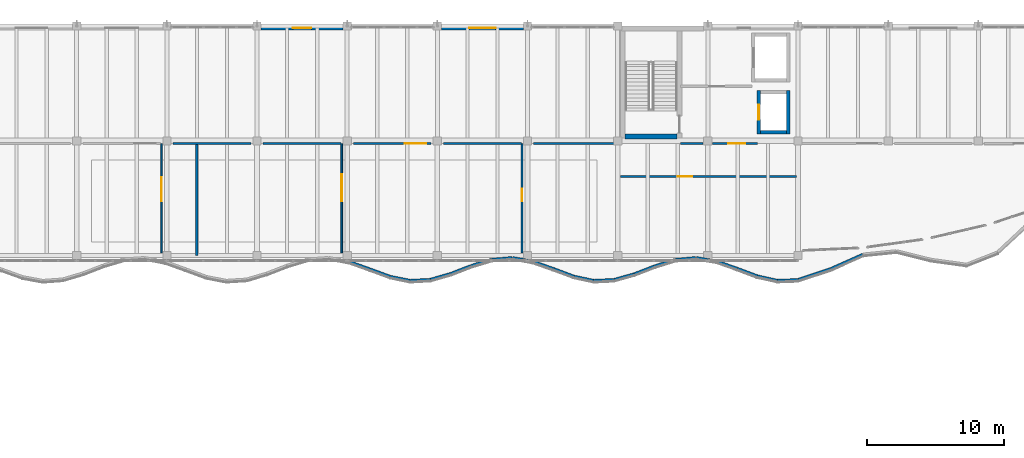
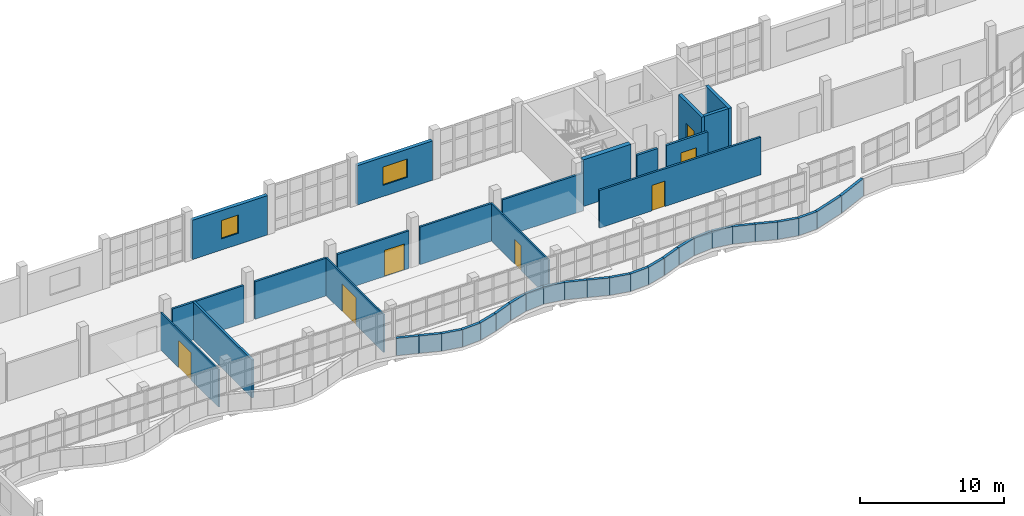
# One storey, part 50 of 74: 42 walls, 7 doors, 2 windows, 9 openings.
"""IFC4 building model written with IfcOpenShell, lengths in metres."""

from ifc_helpers import new_model, si_unit, direction, frame, frame_2d, origin, place, context, subcontext, project, spatial, rectangle, extrude, material, layer, layer_set, type_object, element, fill, save


model = new_model("IFC4")

# Units and contexts
model_context = context("Model", 3, precision=1e-05, world=origin(), true_north=direction((0.0, 1.0)))
body_context = subcontext(model_context, "Body", "Model", "MODEL_VIEW")
ifc_project = project(units=[si_unit("LENGTHUNIT", "METRE"), si_unit("AREAUNIT", "SQUARE_METRE"), si_unit("VOLUMEUNIT", "CUBIC_METRE"), si_unit("PLANEANGLEUNIT", "RADIAN"), si_unit("MASSUNIT", "GRAM", prefix="KILO")], contexts=[model_context])

# Site, building, storey
site_placement = place(None, origin())
site = spatial("IfcSite", under=ifc_project, at=site_placement, CompositionType="ELEMENT")
building_placement = place(site_placement, origin())
building = spatial("IfcBuilding", under=site, at=building_placement, Name="Qaldarim Faculty of Natural and Applied Sciences", CompositionType="ELEMENT")
storey_placement = place(building_placement, frame((0.0, 0.0, 14.39990234375)))
storey = spatial("IfcBuildingStorey", under=building, at=storey_placement, Name="L03", CompositionType="ELEMENT", Elevation=14.39990234375)

# Wall, opening, door
ifc_material_1 = material(Name="Painted gypsum partition board")
ifc_layer_1 = layer(ifc_material_1, 0.1201171875)
ifc_layer_set_1 = layer_set([ifc_layer_1], Name="Painted gypsum partition board")
wall_type_1 = type_object("IfcWallType", Name="AcousticPartition-120", PredefinedType="PARTITIONING", material=ifc_layer_set_1)
wall_1_placement = place(storey_placement, frame((65.60009765625, 101.0, 0.0), z_axis=(0.0, 0.0, 1.0), x_axis=(0.0, 1.0, 0.0)))
wall_1 = element("IfcWall", 1, at=wall_1_placement, inside=storey, type_object=wall_type_1, Name="Interior partition PRT-L03-V4-SUB-1", PredefinedType="PARTITIONING", context=body_context, shape_type="SweptSolid", body=[
    extrude(rectangle(XDim=8.0, YDim=0.1201171875, at=frame_2d((4.0, 0.0))), origin(), (0.0, 0.0, 1.0), 3.190185546875),
])
opening_1_placement = place(wall_1_placement, frame((3.800048828125, 0.0, 0.0)))
opening_1 = element("IfcOpeningElement", 2, at=opening_1_placement, cuts=wall_1, Name="Opening ID12", PredefinedType="OPENING", context=body_context, shape_type="SweptSolid", body=[
    extrude(rectangle(XDim=1.75, YDim=2.300048828125, at=frame_2d((0.875, 1.14990234375))), frame((0.0, 0.070068359375, 0.0), z_axis=(0.0, -1.0, 0.0), x_axis=(1.0, 0.0, 0.0)), (0.0, 0.0, 1.0), 0.14013671875),
])
ifc_material_2 = material(Name="Architectural stainless steel 316", Category="steel")
door_type_1 = type_object("IfcDoorType", Name="WorkshopDoubleDoor-1750x2300", OperationType="NOTDEFINED", PredefinedType="DOOR", material=ifc_material_2)
door_1_placement = place(opening_1_placement, origin())
door_1 = element("IfcDoor", 3, at=door_1_placement, inside=storey, type_object=door_type_1, Name="Interior door D-L03-335", OperationType="SINGLE_SWING_LEFT", OverallHeight=2.300048828125, OverallWidth=1.75, PredefinedType="DOOR", context=body_context, shape_type="SweptSolid", body=[
    extrude(rectangle(XDim=1.75, YDim=2.300048828125, at=frame_2d((0.875, 1.14990234375))), frame((0.0, 0.02490234375, 0.0), z_axis=(0.0, -1.0, 0.0), x_axis=(1.0, 0.0, 0.0)), (0.0, 0.0, 1.0), 0.050048828125),
])
fill(opening_1, door_1)

wall_2_placement = place(storey_placement, frame((78.800048828125, 101.0, 0.0), z_axis=(0.0, 0.0, 1.0), x_axis=(0.0, 1.0, 0.0)))
wall_2 = element("IfcWall", 4, at=wall_2_placement, inside=storey, type_object=wall_type_1, Name="Interior partition PRT-L03-V4-SUB-2", PredefinedType="PARTITIONING", context=body_context, shape_type="SweptSolid", body=[
    extrude(rectangle(XDim=8.0, YDim=0.1201171875, at=frame_2d((4.0, 0.0))), origin(), (0.0, 0.0, 1.0), 3.190185546875),
])
opening_2_placement = place(wall_2_placement, frame((3.800048828125, 0.0, 0.0)))
opening_2 = element("IfcOpeningElement", 5, at=opening_2_placement, cuts=wall_2, Name="Opening ID13", PredefinedType="OPENING", context=body_context, shape_type="SweptSolid", body=[
    extrude(rectangle(XDim=1.949951171875, YDim=2.35009765625, at=frame_2d((0.97509765625, 1.175048828125))), frame((0.0, 0.070068359375, 0.0), z_axis=(0.0, -1.0, 0.0), x_axis=(1.0, 0.0, 0.0)), (0.0, 0.0, 1.0), 0.14013671875),
])
ifc_material_3 = material(Name="Oak hardwood", Category="wood")
door_type_2 = type_object("IfcDoorType", Name="SymposiumDoubleDoor-1950x2350", OperationType="NOTDEFINED", PredefinedType="DOOR", material=ifc_material_3)
door_2_placement = place(opening_2_placement, origin())
door_2 = element("IfcDoor", 6, at=door_2_placement, inside=storey, type_object=door_type_2, Name="Interior door D-L03-336", OperationType="SINGLE_SWING_LEFT", OverallHeight=2.35009765625, OverallWidth=1.949951171875, PredefinedType="DOOR", context=body_context, shape_type="SweptSolid", body=[
    extrude(rectangle(XDim=1.949951171875, YDim=2.35009765625, at=frame_2d((0.97509765625, 1.175048828125))), frame((0.0, 0.02490234375, 0.0), z_axis=(0.0, -1.0, 0.0), x_axis=(1.0, 0.0, 0.0)), (0.0, 0.0, 1.0), 0.050048828125),
])
fill(opening_2, door_2)

wall_3_placement = place(storey_placement, frame((92.0, 101.0, 0.0), z_axis=(0.0, 0.0, 1.0), x_axis=(0.0, 1.0, 0.0)))
wall_3 = element("IfcWall", 7, at=wall_3_placement, inside=storey, type_object=wall_type_1, Name="Interior partition PRT-L03-V4-SUB-3", PredefinedType="PARTITIONING", context=body_context, shape_type="SweptSolid", body=[
    extrude(rectangle(XDim=8.0, YDim=0.1201171875, at=frame_2d((4.0, 0.0))), origin(), (0.0, 0.0, 1.0), 3.190185546875),
])
opening_3_placement = place(wall_3_placement, frame((3.800048828125, 0.0, 0.0)))
opening_3 = element("IfcOpeningElement", 8, at=opening_3_placement, cuts=wall_3, Name="Opening ID07", PredefinedType="OPENING", context=body_context, shape_type="SweptSolid", body=[
    extrude(rectangle(XDim=0.89990234375, YDim=2.10009765625, at=frame_2d((0.449951171875, 1.050048828125))), frame((0.0, 0.070068359375, 0.0), z_axis=(0.0, -1.0, 0.0), x_axis=(1.0, 0.0, 0.0)), (0.0, 0.0, 1.0), 0.14013671875),
])
door_type_3 = type_object("IfcDoorType", Name="OfficeStudyDoor-900x2100", OperationType="NOTDEFINED", PredefinedType="DOOR", material=ifc_material_3)
door_3_placement = place(opening_3_placement, origin())
door_3 = element("IfcDoor", 9, at=door_3_placement, inside=storey, type_object=door_type_3, Name="Interior door D-L03-337", OperationType="SINGLE_SWING_LEFT", OverallHeight=2.10009765625, OverallWidth=0.89990234375, PredefinedType="DOOR", context=body_context, shape_type="SweptSolid", body=[
    extrude(rectangle(XDim=0.89990234375, YDim=2.10009765625, at=frame_2d((0.449951171875, 1.050048828125))), frame((0.0, 0.02490234375, 0.0), z_axis=(0.0, -1.0, 0.0), x_axis=(1.0, 0.0, 0.0)), (0.0, 0.0, 1.0), 0.050048828125),
])
fill(opening_3, door_3)

# Wall
ifc_material_4 = material(Name="Concrete C50/60", Category="concrete")
ifc_layer_2 = layer(ifc_material_4, 0.360107421875)
ifc_layer_set_2 = layer_set([ifc_layer_2], Name="Concrete C50/60")
wall_type_2 = type_object("IfcWallType", Name="CoreShearWall-360", PredefinedType="SHEAR", material=ifc_layer_set_2)
wall_4_placement = place(storey_placement, frame((99.550048828125, 109.52001953125, 0.0), z_axis=(0.0, 0.0, 1.0), x_axis=(1.0, 0.0, 0.0)))
element("IfcWall", 10, at=wall_4_placement, inside=storey, type_object=wall_type_2, Name="Core stair ST-B1 south shear wall L03", PredefinedType="SHEAR", context=body_context, shape_type="SweptSolid", body=[
    extrude(rectangle(XDim=3.800048828125, YDim=0.360107421875, at=frame_2d((1.89990234375, 0.0))), origin(), (0.0, 0.0, 1.0), 3.940185546875),
])

# Wall, opening, window
ifc_material_5 = material(Name="Precast concrete C40/50", Category="concrete")
ifc_layer_3 = layer(ifc_material_5, 0.280029296875)
ifc_layer_set_3 = layer_set([ifc_layer_3], Name="Precast concrete C40/50")
wall_type_3 = type_object("IfcWallType", Name="ExteriorSpandrelWall-280", PredefinedType="SOLIDWALL", material=ifc_layer_set_3)
wall_5_placement = place(storey_placement, frame((78.905029296875, 117.4599609375, 0.0), z_axis=(0.0, 0.0, 1.0), x_axis=(-1.0, 0.0, 0.0)))
wall_5 = element("IfcWall", 11, at=wall_5_placement, inside=storey, type_object=wall_type_3, Name="Exterior wall EW02 L03 N X12Y14", PredefinedType="SOLIDWALL", context=body_context, shape_type="SweptSolid", body=[
    extrude(rectangle(XDim=6.010009765625, YDim=0.280029296875, at=frame_2d((3.0048828125, 0.0))), origin(), (0.0, 0.0, 1.0), 3.3251953125),
])
opening_4_placement = place(wall_5_placement, frame((2.330078125, 0.0, 0.949951171875)))
opening_4 = element("IfcOpeningElement", 12, at=opening_4_placement, cuts=wall_5, Name="Opening WN09", PredefinedType="OPENING", context=body_context, shape_type="SweptSolid", body=[
    extrude(rectangle(XDim=1.35009765625, YDim=1.550048828125, at=frame_2d((0.675048828125, 0.77490234375))), frame((0.0, 0.14990234375, 0.0), z_axis=(0.0, -1.0, 0.0), x_axis=(1.0, 0.0, 0.0)), (0.0, 0.0, 1.0), 0.300048828125),
])
ifc_material_6 = material(Name="Insulated low-e double glazing", Category="glass")
window_type_1 = type_object("IfcWindowType", Name="LabWindow-1350x1550", PartitioningType="SINGLE_PANEL", PredefinedType="WINDOW", material=ifc_material_6)
window_1_placement = place(opening_4_placement, origin())
window_1 = element("IfcWindow", 13, at=window_1_placement, inside=storey, type_object=window_type_1, Name="Facade window WN09 L03 N X12Y14", OverallHeight=1.550048828125, OverallWidth=1.35009765625, PartitioningType="SINGLE_PANEL", PredefinedType="WINDOW", context=body_context, shape_type="SweptSolid", body=[
    extrude(rectangle(XDim=1.35009765625, YDim=1.550048828125, at=frame_2d((0.675048828125, 0.77490234375))), frame((0.0, 0.030029296875, 0.0), z_axis=(0.0, -1.0, 0.0), x_axis=(1.0, 0.0, 0.0)), (0.0, 0.0, 1.0), 0.06005859375),
])
fill(opening_4, window_1)

wall_6_placement = place(storey_placement, frame((92.10498046875, 117.4599609375, 0.0), z_axis=(0.0, 0.0, 1.0), x_axis=(-1.0, 0.0, 0.0)))
wall_6 = element("IfcWall", 14, at=wall_6_placement, inside=storey, type_object=wall_type_3, Name="Exterior wall EW02 L03 N X14Y14", PredefinedType="SOLIDWALL", context=body_context, shape_type="SweptSolid", body=[
    extrude(rectangle(XDim=6.010009765625, YDim=0.280029296875, at=frame_2d((3.0048828125, 0.0))), origin(), (0.0, 0.0, 1.0), 3.3251953125),
])
opening_5_placement = place(wall_6_placement, frame((2.030029296875, 0.0, 0.949951171875)))
opening_5 = element("IfcOpeningElement", 15, at=opening_5_placement, cuts=wall_6, Name="Opening WN11", PredefinedType="OPENING", context=body_context, shape_type="SweptSolid", body=[
    extrude(rectangle(XDim=1.949951171875, YDim=1.550048828125, at=frame_2d((0.97509765625, 0.77490234375))), frame((0.0, 0.14990234375, 0.0), z_axis=(0.0, -1.0, 0.0), x_axis=(1.0, 0.0, 0.0)), (0.0, 0.0, 1.0), 0.300048828125),
])
window_type_2 = type_object("IfcWindowType", Name="LabWindow-1950x1550", PartitioningType="DOUBLE_PANEL_VERTICAL", PredefinedType="WINDOW", material=ifc_material_6)
window_2_placement = place(opening_5_placement, origin())
window_2 = element("IfcWindow", 16, at=window_2_placement, inside=storey, type_object=window_type_2, Name="Facade window WN11 L03 N X14Y14", OverallHeight=1.550048828125, OverallWidth=1.949951171875, PartitioningType="SINGLE_PANEL", PredefinedType="WINDOW", context=body_context, shape_type="SweptSolid", body=[
    extrude(rectangle(XDim=1.949951171875, YDim=1.550048828125, at=frame_2d((0.97509765625, 0.77490234375))), frame((0.0, 0.030029296875, 0.0), z_axis=(0.0, -1.0, 0.0), x_axis=(1.0, 0.0, 0.0)), (0.0, 0.0, 1.0), 0.06005859375),
])
fill(opening_5, window_2)

# Walls
ifc_material_7 = material(Name="Concrete C40/50", Category="concrete")
ifc_layer_4 = layer(ifc_material_7, 0.159912109375)
ifc_layer_set_4 = layer_set([ifc_layer_4], Name="Concrete C40/50")
wall_type_4 = type_object("IfcWallType", Name="FireCorridorWall-160", PredefinedType="PARTITIONING", material=ifc_layer_set_4)
for number, where, z_axis, x_axis, name in (
    (17, (66.449951171875, 109.0, 0.0), (0.0, 0.0, 1.0), (1.0, 0.0, 0.0), "Interior partition PRT-L03-V4-CORSW-S6"),
    (18, (73.050048828125, 109.0, 0.0), (0.0, 0.0, 1.0), (1.0, 0.0, 0.0), "Interior partition PRT-L03-V4-CORSW-S7"),
):
    element("IfcWall", number, at=place(storey_placement, frame(where, z_axis=z_axis, x_axis=x_axis)), inside=storey, type_object=wall_type_4, Name=name, PredefinedType="PARTITIONING", context=body_context, shape_type="SweptSolid", body=[
        extrude(rectangle(XDim=5.699951171875, YDim=0.159912109375, at=frame_2d((2.85009765625, 0.0))), origin(), (0.0, 0.0, 1.0), 3.175048828125),
    ])

# Wall, opening, door
wall_7_placement = place(storey_placement, frame((79.64990234375, 109.0, 0.0), z_axis=(0.0, 0.0, 1.0), x_axis=(1.0, 0.0, 0.0)))
wall_7 = element("IfcWall", 19, at=wall_7_placement, inside=storey, type_object=wall_type_4, Name="Interior partition PRT-L03-V4-CORSW-S8", PredefinedType="PARTITIONING", context=body_context, shape_type="SweptSolid", body=[
    extrude(rectangle(XDim=5.7001953125, YDim=0.159912109375, at=frame_2d((2.85009765625, 0.0))), origin(), (0.0, 0.0, 1.0), 3.175048828125),
])
opening_6_placement = place(wall_7_placement, frame((3.75, 0.0, 0.0)))
opening_6 = element("IfcOpeningElement", 20, at=opening_6_placement, cuts=wall_7, Name="Opening ID06", PredefinedType="OPENING", context=body_context, shape_type="SweptSolid", body=[
    extrude(rectangle(XDim=1.60009765625, YDim=2.199951171875, at=frame_2d((0.800048828125, 1.10009765625))), frame((0.0, 0.08984375, 0.0), z_axis=(0.0, -1.0, 0.0), x_axis=(1.0, 0.0, 0.0)), (0.0, 0.0, 1.0), 0.179931640625),
])
door_type_4 = type_object("IfcDoorType", Name="LabEquipmentDoubleDoor-1600x2200", OperationType="NOTDEFINED", PredefinedType="DOOR", material=ifc_material_2)
door_4_placement = place(opening_6_placement, origin())
door_4 = element("IfcDoor", 21, at=door_4_placement, inside=storey, type_object=door_type_4, Name="Interior door D-L03-232", OperationType="DOUBLE_DOOR_SINGLE_SWING", OverallHeight=2.199951171875, OverallWidth=1.60009765625, PredefinedType="DOOR", context=body_context, shape_type="SweptSolid", body=[
    extrude(rectangle(XDim=1.60009765625, YDim=2.199951171875, at=frame_2d((0.800048828125, 1.10009765625))), frame((0.0, 0.02490234375, 0.0), z_axis=(0.0, -1.0, 0.0), x_axis=(1.0, 0.0, 0.0)), (0.0, 0.0, 1.0), 0.050048828125),
])
fill(opening_6, door_4)

# Walls
wall_8_placement = place(storey_placement, frame((86.25, 109.0, 0.0), z_axis=(0.0, 0.0, 1.0), x_axis=(1.0, 0.0, 0.0)))
element("IfcWall", 22, at=wall_8_placement, inside=storey, type_object=wall_type_4, Name="Interior partition PRT-L03-V4-CORSW-S9", PredefinedType="PARTITIONING", context=body_context, shape_type="SweptSolid", body=[
    extrude(rectangle(XDim=5.699951171875, YDim=0.159912109375, at=frame_2d((2.85009765625, 0.0))), origin(), (0.0, 0.0, 1.0), 3.175048828125),
])
wall_9_placement = place(storey_placement, frame((92.85009765625, 109.0, 0.0), z_axis=(0.0, 0.0, 1.0), x_axis=(1.0, 0.0, 0.0)))
element("IfcWall", 23, at=wall_9_placement, inside=storey, type_object=wall_type_4, Name="Interior partition PRT-L03-V4-CORSW-S10", PredefinedType="PARTITIONING", context=body_context, shape_type="SweptSolid", body=[
    extrude(rectangle(XDim=6.449951171875, YDim=0.159912109375, at=frame_2d((3.22509765625, 0.0))), origin(), (0.0, 0.0, 1.0), 3.175048828125),
])

# Wall, opening, door
wall_10_placement = place(storey_placement, frame((99.199951171875, 106.60009765625, 0.0), z_axis=(0.0, 0.0, 1.0), x_axis=(1.0, 0.0, 0.0)))
wall_10 = element("IfcWall", 24, at=wall_10_placement, inside=storey, type_object=wall_type_4, Name="Interior partition PRT-L03-V4-PRPN", PredefinedType="PARTITIONING", context=body_context, shape_type="SweptSolid", body=[
    extrude(rectangle(XDim=12.900146484375, YDim=0.159912109375, at=frame_2d((6.4501953125, 0.0))), origin(), (0.0, 0.0, 1.0), 3.190185546875),
])
opening_7_placement = place(wall_10_placement, frame((4.199951171875, 0.0, 0.0)))
opening_7 = element("IfcOpeningElement", 25, at=opening_7_placement, cuts=wall_10, Name="Opening ID02", PredefinedType="OPENING", context=body_context, shape_type="SweptSolid", body=[
    extrude(rectangle(XDim=1.050048828125, YDim=2.14990234375, at=frame_2d((0.52490234375, 1.074951171875))), frame((0.0, 0.08984375, 0.0), z_axis=(0.0, -1.0, 0.0), x_axis=(1.0, 0.0, 0.0)), (0.0, 0.0, 1.0), 0.179931640625),
])
door_type_5 = type_object("IfcDoorType", Name="AccessibleRoomDoor-1050x2150", OperationType="NOTDEFINED", PredefinedType="DOOR", material=ifc_material_3)
door_5_placement = place(opening_7_placement, origin())
door_5 = element("IfcDoor", 26, at=door_5_placement, inside=storey, type_object=door_type_5, Name="Interior door D-L03-396", OperationType="SINGLE_SWING_LEFT", OverallHeight=2.14990234375, OverallWidth=1.050048828125, PredefinedType="DOOR", context=body_context, shape_type="SweptSolid", body=[
    extrude(rectangle(XDim=1.050048828125, YDim=2.14990234375, at=frame_2d((0.52490234375, 1.074951171875))), frame((0.0, 0.02490234375, 0.0), z_axis=(0.0, -1.0, 0.0), x_axis=(1.0, 0.0, 0.0)), (0.0, 0.0, 1.0), 0.050048828125),
])
fill(opening_7, door_5)

# Walls
ifc_layer_5 = layer(ifc_material_7, 0.179931640625)
ifc_layer_set_5 = layer_set([ifc_layer_5], Name="Concrete C40/50")
wall_type_5 = type_object("IfcWallType", Name="LabFireCompartmentWall-180", PredefinedType="SOLIDWALL", material=ifc_layer_set_5)
wall_11_placement = place(storey_placement, frame((68.199951171875, 100.800048828125, 0.0), z_axis=(0.0, 0.0, 1.0), x_axis=(0.0, 1.0, 0.0)))
element("IfcWall", 27, at=wall_11_placement, inside=storey, type_object=wall_type_5, Name="Interior partition PRT-L03-V4-ENVD", PredefinedType="SOLIDWALL", context=body_context, shape_type="SweptSolid", body=[
    extrude(rectangle(XDim=8.199951171875, YDim=0.179931640625, at=frame_2d((4.10009765625, 0.0))), origin(), (0.0, 0.0, 1.0), 3.190185546875),
])
wall_12_placement = place(storey_placement, frame((103.60009765625, 109.010009765625, 0.0), z_axis=(0.0, 0.0, 1.0), x_axis=(1.0, 0.0, 0.0)))
element("IfcWall", 28, at=wall_12_placement, inside=storey, type_object=wall_type_5, Name="Fire-fighting lobby south-west compartment wall Core B L03", PredefinedType="SOLIDWALL", context=body_context, shape_type="SweptSolid", body=[
    extrude(rectangle(XDim=1.64990234375, YDim=0.179931640625, at=frame_2d((0.824951171875, 0.0))), origin(), (0.0, 0.0, 1.0), 3.175048828125),
])

# Wall, opening, door
wall_13_placement = place(storey_placement, frame((105.949951171875, 109.010009765625, 0.0), z_axis=(0.0, 0.0, 1.0), x_axis=(1.0, 0.0, 0.0)))
wall_13 = element("IfcWall", 29, at=wall_13_placement, inside=storey, type_object=wall_type_5, Name="Fire-fighting lobby south compartment wall Core B L03", PredefinedType="SOLIDWALL", context=body_context, shape_type="SweptSolid", body=[
    extrude(rectangle(XDim=3.300048828125, YDim=0.179931640625, at=frame_2d((1.64990234375, 0.0))), origin(), (0.0, 0.0, 1.0), 3.175048828125),
])
opening_8_placement = place(wall_13_placement, frame((1.14990234375, 0.0, 0.0)))
opening_8 = element("IfcOpeningElement", 30, at=opening_8_placement, cuts=wall_13, Name="Opening ID04", PredefinedType="OPENING", context=body_context, shape_type="SweptSolid", body=[
    extrude(rectangle(XDim=1.25, YDim=2.14990234375, at=frame_2d((0.625, 1.074951171875))), frame((0.0, 0.099853515625, 0.0), z_axis=(0.0, -1.0, 0.0), x_axis=(1.0, 0.0, 0.0)), (0.0, 0.0, 1.0), 0.199951171875),
])
door_type_6 = type_object("IfcDoorType", Name="StairEnclosureFireDoor-1250x2150", OperationType="NOTDEFINED", PredefinedType="DOOR", material=ifc_material_2)
door_6_placement = place(opening_8_placement, origin())
door_6 = element("IfcDoor", 31, at=door_6_placement, inside=storey, type_object=door_type_6, Name="Fire-fighting lobby door Core B D-L03-644", OperationType="SINGLE_SWING_LEFT", OverallHeight=2.14990234375, OverallWidth=1.25, PredefinedType="DOOR", context=body_context, shape_type="SweptSolid", body=[
    extrude(rectangle(XDim=1.25, YDim=2.14990234375, at=frame_2d((0.625, 1.074951171875))), frame((0.0, 0.02490234375, 0.0), z_axis=(0.0, -1.0, 0.0), x_axis=(1.0, 0.0, 0.0)), (0.0, 0.0, 1.0), 0.050048828125),
])
fill(opening_8, door_6)

ifc_layer_6 = layer(ifc_material_7, 0.25)
ifc_layer_set_6 = layer_set([ifc_layer_6], Name="Concrete C40/50")
wall_type_6 = type_object("IfcWallType", Name="LiftShaftWall-250", PredefinedType="SHEAR", material=ifc_layer_set_6)
wall_14_placement = place(storey_placement, frame((109.324951171875, 109.699951171875, 0.0), z_axis=(0.0, 0.0, 1.0), x_axis=(0.0, 1.0, 0.0)))
wall_14 = element("IfcWall", 32, at=wall_14_placement, inside=storey, type_object=wall_type_6, Name="Lift LF-B1 front shaft wall L03", PredefinedType="SHEAR", context=body_context, shape_type="SweptSolid", body=[
    extrude(rectangle(XDim=3.199951171875, YDim=0.25, at=frame_2d((1.60009765625, 0.0))), origin(), (0.0, 0.0, 1.0), 3.940185546875),
])
opening_9_placement = place(wall_14_placement, frame((1.050048828125, 0.0, 0.0)))
opening_9 = element("IfcOpeningElement", 33, at=opening_9_placement, cuts=wall_14, Name="Opening LD01", PredefinedType="OPENING", context=body_context, shape_type="SweptSolid", body=[
    extrude(rectangle(XDim=1.10009765625, YDim=2.14990234375, at=frame_2d((0.550048828125, 1.074951171875))), frame((0.0, 0.135009765625, 0.0), z_axis=(0.0, -1.0, 0.0), x_axis=(1.0, 0.0, 0.0)), (0.0, 0.0, 1.0), 0.27001953125),
])
door_type_7 = type_object("IfcDoorType", Name="LiftLandingSlidingDoor-1100x2150", OperationType="NOTDEFINED", PredefinedType="DOOR", material=ifc_material_2)
door_7_placement = place(opening_9_placement, origin())
door_7 = element("IfcDoor", 34, at=door_7_placement, inside=storey, type_object=door_type_7, Name="Lift landing sliding door LF-B1 D-L03-626", OperationType="SLIDING_TO_LEFT", OverallHeight=2.14990234375, OverallWidth=1.10009765625, PredefinedType="DOOR", context=body_context, shape_type="SweptSolid", body=[
    extrude(rectangle(XDim=1.10009765625, YDim=2.14990234375, at=frame_2d((0.550048828125, 1.074951171875))), frame((0.0, 0.02490234375, 0.0), z_axis=(0.0, -1.0, 0.0), x_axis=(1.0, 0.0, 0.0)), (0.0, 0.0, 1.0), 0.050048828125),
])
fill(opening_9, door_7)

# Walls
wall_15_placement = place(storey_placement, frame((111.47509765625, 109.699951171875, 0.0), z_axis=(0.0, 0.0, 1.0), x_axis=(0.0, 1.0, 0.0)))
element("IfcWall", 35, at=wall_15_placement, inside=storey, type_object=wall_type_6, Name="Lift LF-B1 rear shaft wall L03", PredefinedType="SHEAR", context=body_context, shape_type="SweptSolid", body=[
    extrude(rectangle(XDim=3.199951171875, YDim=0.25, at=frame_2d((1.60009765625, 0.0))), origin(), (0.0, 0.0, 1.0), 3.940185546875),
])
wall_16_placement = place(storey_placement, frame((109.449951171875, 109.824951171875, 0.0), z_axis=(0.0, 0.0, 1.0), x_axis=(1.0, 0.0, 0.0)))
element("IfcWall", 36, at=wall_16_placement, inside=storey, type_object=wall_type_6, Name="Lift LF-B1 south shaft wall L03", PredefinedType="SHEAR", context=body_context, shape_type="SweptSolid", body=[
    extrude(rectangle(XDim=1.900146484375, YDim=0.25, at=frame_2d((0.9501953125, 0.0))), origin(), (0.0, 0.0, 1.0), 3.940185546875),
])
ifc_material_8 = material(Name="White architectural precast concrete C40/50", Category="concrete")
ifc_layer_7 = layer(ifc_material_8, 0.219970703125)
ifc_layer_set_7 = layer_set([ifc_layer_7], Name="White architectural precast concrete C40/50")
wall_type_7 = type_object("IfcWallType", Name="WhitePrecastWaveBand-220", PredefinedType="SOLIDWALL", material=ifc_layer_set_7)
wall_17_placement = place(storey_placement, frame((79.3701171875, 100.340087890625, 0.0), z_axis=(0.0, 0.0, 1.0), x_axis=(0.941487691535, -0.337047365645, 0.0)))
element("IfcWall", 37, at=wall_17_placement, inside=storey, type_object=wall_type_7, Name="White precast wave spandrel band L03 chord 32", PredefinedType="SOLIDWALL", context=body_context, shape_type="SweptSolid", body=[
    extrude(rectangle(XDim=1.587890625, YDim=0.219970703125, at=frame_2d((0.7939453125, 0.0))), origin(), (0.0, 0.0, 1.0), 1.4501953125),
])
wall_18_placement = place(storey_placement, frame((80.8701171875, 99.804931640625, 0.0), z_axis=(0.0, 0.0, 1.0), x_axis=(0.938484347718, -0.345321776157, 0.0)))
element("IfcWall", 38, at=wall_18_placement, inside=storey, type_object=wall_type_7, Name="White precast wave spandrel band L03 chord 33", PredefinedType="SOLIDWALL", context=body_context, shape_type="SweptSolid", body=[
    extrude(rectangle(XDim=1.5927734375, YDim=0.219970703125, at=frame_2d((0.79638671875, 0.0))), origin(), (0.0, 0.0, 1.0), 1.4501953125),
])
wall_19_placement = place(storey_placement, frame((82.344970703125, 99.260009765625, 0.0), z_axis=(0.0, 0.0, 1.0), x_axis=(0.979829000893, -0.199837756714, 0.0)))
element("IfcWall", 39, at=wall_19_placement, inside=storey, type_object=wall_type_7, Name="White precast wave spandrel band L03 chord 34", PredefinedType="SOLIDWALL", context=body_context, shape_type="SweptSolid", body=[
    extrude(rectangle(XDim=1.52587890625, YDim=0.219970703125, at=frame_2d((0.762939453125, 0.0))), origin(), (0.0, 0.0, 1.0), 1.4501953125),
])
wall_20_placement = place(storey_placement, frame((83.800048828125, 98.9599609375, 0.0), z_axis=(0.0, 0.0, 1.0), x_axis=(0.998558909102, 0.053666610222, 0.0)))
element("IfcWall", 40, at=wall_20_placement, inside=storey, type_object=wall_type_7, Name="White precast wave spandrel band L03 chord 35", PredefinedType="SOLIDWALL", context=body_context, shape_type="SweptSolid", body=[
    extrude(rectangle(XDim=1.4921875, YDim=0.219970703125, at=frame_2d((0.74609375, 0.0))), origin(), (0.0, 0.0, 1.0), 1.4501953125),
])
wall_21_placement = place(storey_placement, frame((85.260009765625, 99.034912109375, 0.0), z_axis=(0.0, 0.0, 1.0), x_axis=(0.961001026891, 0.276544799834, 0.0)))
element("IfcWall", 41, at=wall_21_placement, inside=storey, type_object=wall_type_7, Name="White precast wave spandrel band L03 chord 36", PredefinedType="SOLIDWALL", context=body_context, shape_type="SweptSolid", body=[
    extrude(rectangle(XDim=1.555419921875, YDim=0.219970703125, at=frame_2d((0.77783203125, 0.0))), origin(), (0.0, 0.0, 1.0), 1.4501953125),
])
wall_22_placement = place(storey_placement, frame((86.7451171875, 99.4599609375, 0.0), z_axis=(0.0, 0.0, 1.0), x_axis=(0.932270156609, 0.361762843721, 0.0)))
element("IfcWall", 42, at=wall_22_placement, inside=storey, type_object=wall_type_7, Name="White precast wave spandrel band L03 chord 37", PredefinedType="SOLIDWALL", context=body_context, shape_type="SweptSolid", body=[
    extrude(rectangle(XDim=1.603515625, YDim=0.219970703125, at=frame_2d((0.8017578125, 0.0))), origin(), (0.0, 0.0, 1.0), 1.4501953125),
])
wall_23_placement = place(storey_placement, frame((88.25, 100.044921875, 0.0), z_axis=(0.0, 0.0, 1.0), x_axis=(0.956666312552, 0.291186480503, 0.0)))
element("IfcWall", 43, at=wall_23_placement, inside=storey, type_object=wall_type_7, Name="White precast wave spandrel band L03 chord 38", PredefinedType="SOLIDWALL", context=body_context, shape_type="SweptSolid", body=[
    extrude(rectangle(XDim=1.562744140625, YDim=0.219970703125, at=frame_2d((0.78125, 0.0))), origin(), (0.0, 0.0, 1.0), 1.4501953125),
])
wall_24_placement = place(storey_placement, frame((89.77490234375, 100.5048828125, 0.0), z_axis=(0.0, 0.0, 1.0), x_axis=(0.996233870581, 0.086706834262, 0.0)))
element("IfcWall", 44, at=wall_24_placement, inside=storey, type_object=wall_type_7, Name="White precast wave spandrel band L03 chord 39", PredefinedType="SOLIDWALL", context=body_context, shape_type="SweptSolid", body=[
    extrude(rectangle(XDim=1.500732421875, YDim=0.219970703125, at=frame_2d((0.75048828125, 0.0))), origin(), (0.0, 0.0, 1.0), 1.4501953125),
])
wall_25_placement = place(storey_placement, frame((91.304931640625, 100.635009765625, 0.0), z_axis=(0.0, 0.0, 1.0), x_axis=(0.984080055178, -0.177725757842, 0.0)))
element("IfcWall", 45, at=wall_25_placement, inside=storey, type_object=wall_type_7, Name="White precast wave spandrel band L03 chord 40", PredefinedType="SOLIDWALL", context=body_context, shape_type="SweptSolid", body=[
    extrude(rectangle(XDim=1.519287109375, YDim=0.219970703125, at=frame_2d((0.759765625, 0.0))), origin(), (0.0, 0.0, 1.0), 1.4501953125),
])
wall_26_placement = place(storey_placement, frame((92.820068359375, 100.35498046875, 0.0), z_axis=(0.0, 0.0, 1.0), x_axis=(0.942509092402, -0.334180506223, 0.0)))
element("IfcWall", 46, at=wall_26_placement, inside=storey, type_object=wall_type_7, Name="White precast wave spandrel band L03 chord 41", PredefinedType="SOLIDWALL", context=body_context, shape_type="SweptSolid", body=[
    extrude(rectangle(XDim=1.5859375, YDim=0.219970703125, at=frame_2d((0.79296875, 0.0))), origin(), (0.0, 0.0, 1.0), 1.4501953125),
])
wall_27_placement = place(storey_placement, frame((94.320068359375, 99.824951171875, 0.0), z_axis=(0.0, 0.0, 1.0), x_axis=(0.937115599142, -0.349019131058, 0.0)))
element("IfcWall", 47, at=wall_27_placement, inside=storey, type_object=wall_type_7, Name="White precast wave spandrel band L03 chord 42", PredefinedType="SOLIDWALL", context=body_context, shape_type="SweptSolid", body=[
    extrude(rectangle(XDim=1.590087890625, YDim=0.219970703125, at=frame_2d((0.794921875, 0.0))), origin(), (0.0, 0.0, 1.0), 1.4501953125),
])
wall_28_placement = place(storey_placement, frame((95.7900390625, 99.27490234375, 0.0), z_axis=(0.0, 0.0, 1.0), x_axis=(0.977870139917, -0.20921278512, 0.0)))
element("IfcWall", 48, at=wall_28_placement, inside=storey, type_object=wall_type_7, Name="White precast wave spandrel band L03 chord 43", PredefinedType="SOLIDWALL", context=body_context, shape_type="SweptSolid", body=[
    extrude(rectangle(XDim=1.52880859375, YDim=0.219970703125, at=frame_2d((0.764404296875, 0.0))), origin(), (0.0, 0.0, 1.0), 1.4501953125),
])
wall_29_placement = place(storey_placement, frame((97.25, 98.9599609375, 0.0), z_axis=(0.0, 0.0, 1.0), x_axis=(0.99890365114, 0.046813414088, 0.0)))
element("IfcWall", 49, at=wall_29_placement, inside=storey, type_object=wall_type_7, Name="White precast wave spandrel band L03 chord 44", PredefinedType="SOLIDWALL", context=body_context, shape_type="SweptSolid", body=[
    extrude(rectangle(XDim=1.496826171875, YDim=0.219970703125, at=frame_2d((0.74853515625, 0.0))), origin(), (0.0, 0.0, 1.0), 1.4501953125),
])
wall_30_placement = place(storey_placement, frame((98.7099609375, 99.02490234375, 0.0), z_axis=(0.0, 0.0, 1.0), x_axis=(0.962707256087, 0.270545262529, 0.0)))
element("IfcWall", 50, at=wall_30_placement, inside=storey, type_object=wall_type_7, Name="White precast wave spandrel band L03 chord 45", PredefinedType="SOLIDWALL", context=body_context, shape_type="SweptSolid", body=[
    extrude(rectangle(XDim=1.552978515625, YDim=0.219970703125, at=frame_2d((0.7763671875, 0.0))), origin(), (0.0, 0.0, 1.0), 1.4501953125),
])
wall_31_placement = place(storey_placement, frame((100.195068359375, 99.43994140625, 0.0), z_axis=(0.0, 0.0, 1.0), x_axis=(0.932270156609, 0.361762843721, 0.0)))
element("IfcWall", 51, at=wall_31_placement, inside=storey, type_object=wall_type_7, Name="White precast wave spandrel band L03 chord 46", PredefinedType="SOLIDWALL", context=body_context, shape_type="SweptSolid", body=[
    extrude(rectangle(XDim=1.603515625, YDim=0.219970703125, at=frame_2d((0.8017578125, 0.0))), origin(), (0.0, 0.0, 1.0), 1.4501953125),
])
wall_32_placement = place(storey_placement, frame((101.699951171875, 100.02490234375, 0.0), z_axis=(0.0, 0.0, 1.0), x_axis=(0.954867587054, 0.297031801655, 0.0)))
element("IfcWall", 52, at=wall_32_placement, inside=storey, type_object=wall_type_7, Name="White precast wave spandrel band L03 chord 47", PredefinedType="SOLIDWALL", context=body_context, shape_type="SweptSolid", body=[
    extrude(rectangle(XDim=1.565673828125, YDim=0.219970703125, at=frame_2d((0.78271484375, 0.0))), origin(), (0.0, 0.0, 1.0), 1.4501953125),
])
wall_33_placement = place(storey_placement, frame((103.219970703125, 100.4951171875, 0.0), z_axis=(0.0, 0.0, 1.0), x_axis=(0.995651207458, 0.093159396126, 0.0)))
element("IfcWall", 53, at=wall_33_placement, inside=storey, type_object=wall_type_7, Name="White precast wave spandrel band L03 chord 48", PredefinedType="SOLIDWALL", context=body_context, shape_type="SweptSolid", body=[
    extrude(rectangle(XDim=1.501708984375, YDim=0.219970703125, at=frame_2d((0.7509765625, 0.0))), origin(), (0.0, 0.0, 1.0), 1.4501953125),
])
wall_34_placement = place(storey_placement, frame((104.7548828125, 100.635009765625, 0.0), z_axis=(0.0, 0.0, 1.0), x_axis=(0.985751401612, -0.168208722189, 0.0)))
element("IfcWall", 54, at=wall_34_placement, inside=storey, type_object=wall_type_7, Name="White precast wave spandrel band L03 chord 49", PredefinedType="SOLIDWALL", context=body_context, shape_type="SweptSolid", body=[
    extrude(rectangle(XDim=1.516845703125, YDim=0.219970703125, at=frame_2d((0.75830078125, 0.0))), origin(), (0.0, 0.0, 1.0), 1.4501953125),
])
wall_35_placement = place(storey_placement, frame((106.27001953125, 100.3701171875, 0.0), z_axis=(0.0, 0.0, 1.0), x_axis=(0.943135745447, -0.332407830322, 0.0)))
element("IfcWall", 55, at=wall_35_placement, inside=storey, type_object=wall_type_7, Name="White precast wave spandrel band L03 chord 50", PredefinedType="SOLIDWALL", context=body_context, shape_type="SweptSolid", body=[
    extrude(rectangle(XDim=1.579833984375, YDim=0.219970703125, at=frame_2d((0.7900390625, 0.0))), origin(), (0.0, 0.0, 1.0), 1.4501953125),
])
wall_36_placement = place(storey_placement, frame((107.764892578125, 99.844970703125, 0.0), z_axis=(0.0, 0.0, 1.0), x_axis=(0.936454801595, -0.350788261734, 0.0)))
element("IfcWall", 56, at=wall_36_placement, inside=storey, type_object=wall_type_7, Name="White precast wave spandrel band L03 chord 51", PredefinedType="SOLIDWALL", context=body_context, shape_type="SweptSolid", body=[
    extrude(rectangle(XDim=1.5966796875, YDim=0.219970703125, at=frame_2d((0.79833984375, 0.0))), origin(), (0.0, 0.0, 1.0), 1.4501953125),
])
wall_37_placement = place(storey_placement, frame((109.239990234375, 99.2900390625, 0.0), z_axis=(0.0, 0.0, 1.0), x_axis=(0.976486271423, -0.215579594867, 0.0)))
element("IfcWall", 57, at=wall_37_placement, inside=storey, type_object=wall_type_7, Name="White precast wave spandrel band L03 chord 52", PredefinedType="SOLIDWALL", context=body_context, shape_type="SweptSolid", body=[
    extrude(rectangle(XDim=1.531005859375, YDim=0.219970703125, at=frame_2d((0.765625, 0.0))), origin(), (0.0, 0.0, 1.0), 1.4501953125),
])
wall_38_placement = place(storey_placement, frame((110.699951171875, 98.965087890625, 0.0), z_axis=(0.0, 0.0, 1.0), x_axis=(0.999325743309, 0.0367159197, 0.0)))
element("IfcWall", 58, at=wall_38_placement, inside=storey, type_object=wall_type_7, Name="White precast wave spandrel band L03 chord 53", PredefinedType="SOLIDWALL", context=body_context, shape_type="SweptSolid", body=[
    extrude(rectangle(XDim=1.49609375, YDim=0.219970703125, at=frame_2d((0.748046875, 0.0))), origin(), (0.0, 0.0, 1.0), 1.4501953125),
])
wall_39_placement = place(storey_placement, frame((112.155029296875, 99.014892578125, 0.0), z_axis=(0.0, 0.0, 1.0), x_axis=(0.949062466529, 0.315087979182, 0.0)))
element("IfcWall", 59, at=wall_39_placement, inside=storey, type_object=wall_type_7, Name="White precast wave spandrel band L03 chord 54", PredefinedType="SOLIDWALL", context=body_context, shape_type="SweptSolid", body=[
    extrude(rectangle(XDim=2.57080078125, YDim=0.219970703125, at=frame_2d((1.285400390625, 0.0))), origin(), (0.0, 0.0, 1.0), 1.4501953125),
])
wall_40_placement = place(storey_placement, frame((114.5849609375, 99.820068359375, 0.0), z_axis=(0.0, 0.0, 1.0), x_axis=(0.91294882956, 0.408074055294, 0.0)))
element("IfcWall", 60, at=wall_40_placement, inside=storey, type_object=wall_type_7, Name="White precast wave spandrel band L03 chord 55", PredefinedType="SOLIDWALL", context=body_context, shape_type="SweptSolid", body=[
    extrude(rectangle(XDim=2.585205078125, YDim=0.219970703125, at=frame_2d((1.29248046875, 0.0))), origin(), (0.0, 0.0, 1.0), 1.4501953125),
])

save(model, "model.ifc")
